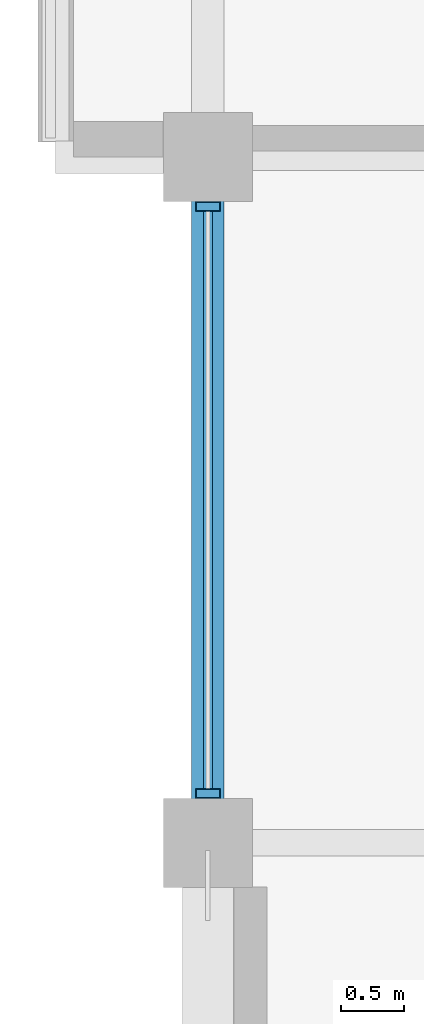
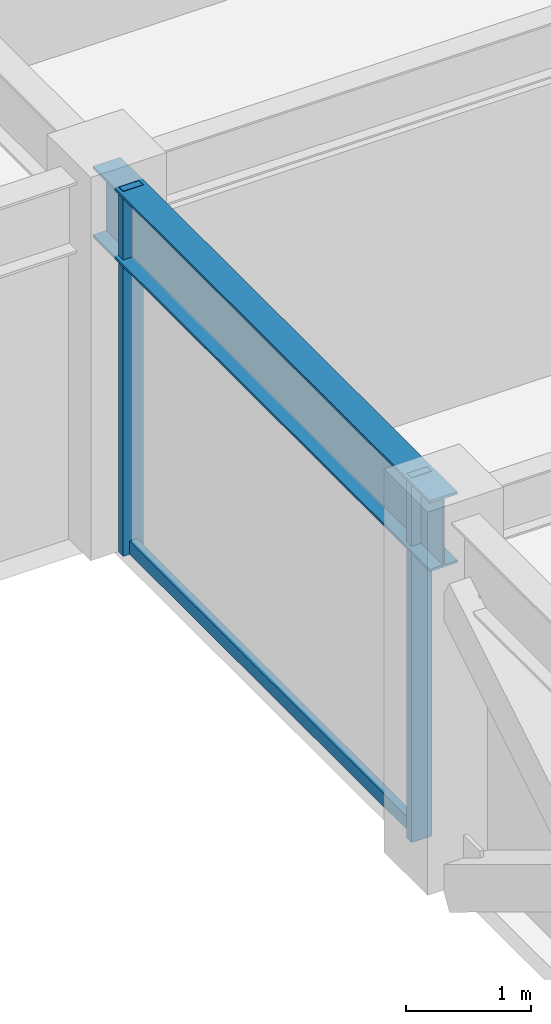
# One storey, part 4 of 29: 3 members, 1 beam, 1 element without a shape of its own.
"""IFC4 building model written with IfcOpenShell, lengths in metres."""

from ifc_helpers import new_model, si_unit, direction, frame, origin, origin_2d, place, context, subcontext, project, spatial, hollow_rectangle, i_section, extrude, material, layer, layer_set, material_profile, profile_set, type_object, element, aggregate, save


model = new_model("IFC4")

# Units and contexts
model_context = context("Model", 3, precision=1e-05, world=origin(), true_north=direction((0.0, 1.0)))
body_context = subcontext(model_context, "Body", "Model", "MODEL_VIEW")
ifc_project = project(units=[si_unit("LENGTHUNIT", "METRE"), si_unit("AREAUNIT", "SQUARE_METRE"), si_unit("VOLUMEUNIT", "CUBIC_METRE"), si_unit("PLANEANGLEUNIT", "RADIAN"), si_unit("MASSUNIT", "GRAM", prefix="KILO")], contexts=[model_context])

# Site, building, storey
site_placement = place(None, origin())
site = spatial("IfcSite", under=ifc_project, at=site_placement, CompositionType="ELEMENT")
building_placement = place(site_placement, origin())
building = spatial("IfcBuilding", under=site, at=building_placement, Name="Surkhivell Harbour Commons", CompositionType="ELEMENT")
storey_placement = place(building_placement, frame((0.0, 0.0, 273.75)))
storey = spatial("IfcBuildingStorey", under=building, at=storey_placement, Name="L71", CompositionType="ELEMENT", Elevation=273.75)

# Beam
ifc_material_1 = material(Name="Steel S355", Category="steel")
ifc_material_profile_1 = material_profile(ifc_material_1, i_section(OverallWidth=0.256103515625, OverallDepth=0.693115234375, WebThickness=0.014404296875, FlangeThickness=0.023681640625, at=origin_2d()), Name="UB686x254x170")
ifc_profile_set_1 = profile_set([ifc_material_profile_1], Name="Steel S355")
beam_type = type_object("IfcBeamType", Name="BM-SPN-686", PredefinedType="SPANDREL", material=ifc_profile_set_1)
beam_placement = place(storey_placement, frame((-27.0, -10.800048828125, 3.223388671875), z_axis=(0.0, 1.0, 0.0), x_axis=(-1.0, 0.0, 0.0)))
element("IfcBeam", 1, at=beam_placement, inside=storey, type_object=beam_type, Name="L71 Tube Spandrel (-27.0,-10.8)", PredefinedType="SPANDREL", context=body_context, shape_type="SweptSolid", body=[
    extrude(i_section(OverallWidth=0.256103515625, OverallDepth=0.693115234375, WebThickness=0.014404296875, FlangeThickness=0.023681640625, at=origin_2d()), origin(), (0.0, 0.0, 1.0), 5.400146484375),
])

# Curtain wall, members
ifc_material_2 = material(Name="Anodised pale-metal aluminium and insulated glazing", Category="aluminium")
ifc_layer = layer(ifc_material_2, 0.175048828125)
ifc_layer_set = layer_set([ifc_layer], Name="Anodised pale-metal aluminium and insulated glazing")
curtain_wall_type = type_object("IfcCurtainWallType", Name="CW-SYS-Z4", PredefinedType="NOTDEFINED", material=ifc_layer_set)
curtain_wall_placement = place(storey_placement, origin())
curtain_wall = element("IfcCurtainWall", 2, at=curtain_wall_placement, inside=storey, type_object=curtain_wall_type, Name="L71 Curtain Wall CW-L71-E12R1S1", PredefinedType="NOTDEFINED")
ifc_material_3 = material(Name="Anodised pale-metal aluminium alloy 6063-T6", Category="aluminium")
ifc_material_profile_2 = material_profile(ifc_material_3, hollow_rectangle(XDim=0.074951171875, YDim=0.18994140625, WallThickness=0.00390625, at=origin_2d()), Name="ALU-MULL-75x190")
ifc_profile_set_2 = profile_set([ifc_material_profile_2], Name="Anodised pale-metal aluminium alloy 6063-T6")
member_type_1 = type_object("IfcMemberType", Name="CWM-190", PredefinedType="MULLION", material=ifc_profile_set_2)
member_1_placement = place(storey_placement, frame((-27.0, -10.410400390625, 0.0), z_axis=(0.0, 0.0, 1.0), x_axis=(0.0, 1.0, 0.0)))
member_1 = element("IfcMember", 3, at=member_1_placement, type_object=member_type_1, Name="CW-Z4 mullion 1", PredefinedType="MULLION", context=body_context, shape_type="SweptSolid", body=[
    extrude(hollow_rectangle(XDim=0.074951171875, YDim=0.18994140625, WallThickness=0.00390625, at=origin_2d()), origin(), (0.0, 0.0, 1.0), 3.570068359375),
])
member_2_placement = place(storey_placement, frame((-27.0, -5.78955078125, 0.0), z_axis=(0.0, 0.0, 1.0), x_axis=(0.0, 1.0, 0.0)))
member_2 = element("IfcMember", 4, at=member_2_placement, type_object=member_type_1, Name="CW-Z4 mullion 2", PredefinedType="MULLION", context=body_context, shape_type="SweptSolid", body=[
    extrude(hollow_rectangle(XDim=0.074951171875, YDim=0.18994140625, WallThickness=0.00390625, at=origin_2d()), origin(), (0.0, 0.0, 1.0), 3.570068359375),
])
ifc_material_4 = material(Name="Champagne anodised aluminium alloy 6063-T6", Category="aluminium")
ifc_material_profile_3 = material_profile(ifc_material_4, hollow_rectangle(XDim=0.070068359375, YDim=0.1298828125, WallThickness=0.00341796875, at=origin_2d()), Name="ALU-TRAN-70x130")
ifc_profile_set_3 = profile_set([ifc_material_profile_3], Name="Champagne anodised aluminium alloy 6063-T6")
member_type_2 = type_object("IfcMemberType", Name="CWT-130", PredefinedType="USERDEFINED", material=ifc_profile_set_3)
member_3_placement = place(storey_placement, frame((-27.0, -10.373046875, 0.06494140625), z_axis=(0.0, 1.0, 0.0), x_axis=(-1.0, 0.0, 0.0)))
member_3 = element("IfcMember", 5, at=member_3_placement, type_object=member_type_2, Name="CW-Z4 transom 1.1", ObjectType="TRANSOM", PredefinedType="USERDEFINED", context=body_context, shape_type="SweptSolid", body=[
    extrude(hollow_rectangle(XDim=0.070068359375, YDim=0.1298828125, WallThickness=0.00341796875, at=origin_2d()), origin(), (0.0, 0.0, 1.0), 4.546142578125),
])
aggregate(curtain_wall, [member_1, member_2, member_3])

save(model, "model.ifc")
